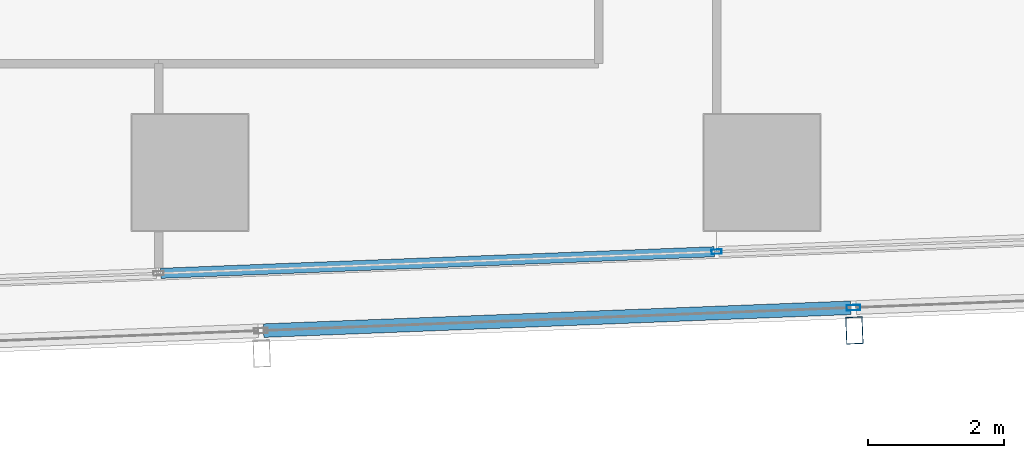
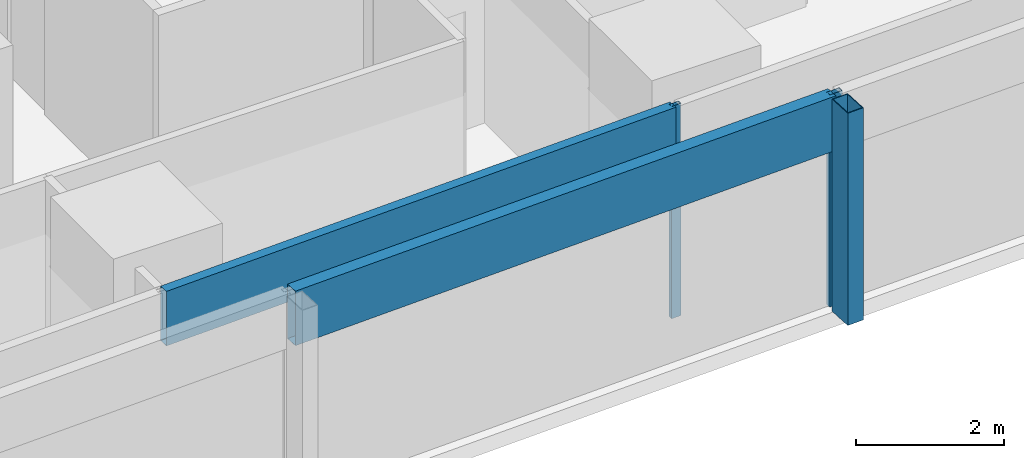
# One storey, part 11 of 40: 5 members, 2 elements without a shape of their own.
"""IFC4 building model written with IfcOpenShell, lengths in metres."""

from ifc_helpers import new_model, si_unit, direction, frame, origin, origin_2d, place, context, subcontext, project, spatial, hollow_rectangle, extrude, material, material_profile, profile_set, type_object, element, aggregate, save


model = new_model("IFC4")

# Units and contexts
model_context = context("Model", 3, precision=1e-05, world=origin(), true_north=direction((0.0, 1.0)))
body_context = subcontext(model_context, "Body", "Model", "MODEL_VIEW")
ifc_project = project(units=[si_unit("LENGTHUNIT", "METRE"), si_unit("AREAUNIT", "SQUARE_METRE"), si_unit("VOLUMEUNIT", "CUBIC_METRE"), si_unit("PLANEANGLEUNIT", "RADIAN"), si_unit("MASSUNIT", "GRAM", prefix="KILO")], contexts=[model_context])

# Site, building, storey
site_placement = place(None, origin())
site = spatial("IfcSite", under=ifc_project, at=site_placement, CompositionType="ELEMENT")
building_placement = place(site_placement, origin())
building = spatial("IfcBuilding", under=site, at=building_placement, Name="Rekha Terrace Tower", CompositionType="ELEMENT")
storey_placement = place(building_placement, frame((0.0, 0.0, 136.550048828125)))
storey = spatial("IfcBuildingStorey", under=building, at=storey_placement, Name="L34", CompositionType="ELEMENT", Elevation=136.550048828125)

# Curtain wall, member
ifc_material_1 = material(Name="Aluminium framing", Category="aluminium")
curtain_wall_type_1 = type_object("IfcCurtainWallType", Name="CW2 double skin outer glazing", PredefinedType="USERDEFINED", material=ifc_material_1)
curtain_wall_1_placement = place(storey_placement, origin())
curtain_wall_1 = element("IfcCurtainWall", 1, at=curtain_wall_1_placement, inside=storey, type_object=curtain_wall_type_1, Name="CW2 double skin outer glazing", ObjectType="DOUBLE SKIN OUTER GLAZING", PredefinedType="USERDEFINED")
ifc_material_2 = material(Name="Steel S355 with fluorocarbon finish", Category="steel")
ifc_material_profile_1 = material_profile(ifc_material_2, hollow_rectangle(XDim=0.25, YDim=0.39990234375, WallThickness=0.012451171875, at=origin_2d()), Name="RHS400x250x12.5")
ifc_profile_set_1 = profile_set([ifc_material_profile_1], Name="Steel S355 with fluorocarbon finish")
member_type_1 = type_object("IfcMemberType", Name="BL1 facade blade RHS 400 x 250", PredefinedType="USERDEFINED", material=ifc_profile_set_1)
member_1_placement = place(storey_placement, frame((60.1572265625, 14.480712890625, 0.0), z_axis=(0.0, 0.0, 1.0), x_axis=(0.999243494356, 0.038890088543, 0.0)))
member_1 = element("IfcMember", 2, at=member_1_placement, type_object=member_type_1, Name="Facade blade", ObjectType="FACADE BLADE", PredefinedType="USERDEFINED", context=body_context, shape_type="SweptSolid", body=[
    extrude(hollow_rectangle(XDim=0.25, YDim=0.39990234375, WallThickness=0.012451171875, at=origin_2d()), origin(), (0.0, 0.0, 1.0), 3.5),
])

# Curtain wall, members
curtain_wall_type_2 = type_object("IfcCurtainWallType", Name="CW1 double skin inner glazing", PredefinedType="USERDEFINED", material=ifc_material_1)
curtain_wall_2_placement = place(storey_placement, origin())
curtain_wall_2 = element("IfcCurtainWall", 3, at=curtain_wall_2_placement, inside=storey, type_object=curtain_wall_type_2, Name="CW1 double skin inner glazing", ObjectType="DOUBLE SKIN INNER GLAZING", PredefinedType="USERDEFINED")
ifc_material_3 = material(Name="Aluminium mullion section", Category="aluminium")
ifc_material_profile_2 = material_profile(ifc_material_3, hollow_rectangle(XDim=0.06494140625, YDim=0.14990234375, WallThickness=0.00390625, at=origin_2d()), Name="AL RHS 65x150")
ifc_profile_set_2 = profile_set([ifc_material_profile_2], Name="Aluminium mullion section")
member_type_2 = type_object("IfcMemberType", Name="CW1 mullion RHS 65 x 150", PredefinedType="MULLION", material=ifc_profile_set_2)
member_2_placement = place(storey_placement, frame((58.13330078125, 15.637939453125, 0.0), z_axis=(0.0, 0.0, 1.0), x_axis=(-0.038889971345, 0.999243498917, 0.0)))
member_2 = element("IfcMember", 4, at=member_2_placement, type_object=member_type_2, Name="CW1 mullion 5", PredefinedType="MULLION", context=body_context, shape_type="SweptSolid", body=[
    extrude(hollow_rectangle(XDim=0.06494140625, YDim=0.14990234375, WallThickness=0.00390625, at=origin_2d()), origin(), (0.0, 0.0, 1.0), 3.5),
])
ifc_material_4 = material(Name="Insulated aluminium spandrel box", Category="aluminium")
ifc_material_profile_3 = material_profile(ifc_material_4, hollow_rectangle(XDim=0.14990234375, YDim=0.89990234375, WallThickness=0.0029296875, at=origin_2d()), Name="AL SPANDREL BOX 150x900")
ifc_profile_set_3 = profile_set([ifc_material_profile_3], Name="Insulated aluminium spandrel box")
member_type_3 = type_object("IfcMemberType", Name="CW1 spandrel transom 150 x 900", PredefinedType="USERDEFINED", material=ifc_profile_set_3)
member_3_placement = place(storey_placement, frame((49.96923828125, 15.320068359375, 3.050048828125), z_axis=(0.999242669674, 0.038911272182, 0.0), x_axis=(-0.038911272182, 0.999242669674, 0.0)))
member_3 = element("IfcMember", 5, at=member_3_placement, type_object=member_type_3, Name="CW1 spandrel transom 4", ObjectType="TRANSOM", PredefinedType="USERDEFINED", context=body_context, shape_type="SweptSolid", body=[
    extrude(hollow_rectangle(XDim=0.14990234375, YDim=0.89990234375, WallThickness=0.0029296875, at=origin_2d()), origin(), (0.0, 0.0, 1.0), 8.1376953125),
])
aggregate(curtain_wall_2, [member_2, member_3])

# Member
ifc_material_profile_4 = material_profile(ifc_material_3, hollow_rectangle(XDim=0.080078125, YDim=0.199951171875, WallThickness=0.00390625, at=origin_2d()), Name="AL RHS 80x200")
ifc_profile_set_4 = profile_set([ifc_material_profile_4], Name="Aluminium mullion section")
member_type_4 = type_object("IfcMemberType", Name="CW2 mullion RHS 80 x 200", PredefinedType="MULLION", material=ifc_profile_set_4)
member_4_placement = place(storey_placement, frame((60.14404296875, 14.8154296875, 0.0), z_axis=(0.0, 0.0, 1.0), x_axis=(-0.038889971345, 0.999243498917, 0.0)))
member_4 = element("IfcMember", 6, at=member_4_placement, type_object=member_type_4, Name="CW2 mullion 5", PredefinedType="MULLION", context=body_context, shape_type="SweptSolid", body=[
    extrude(hollow_rectangle(XDim=0.080078125, YDim=0.199951171875, WallThickness=0.00390625, at=origin_2d()), origin(), (0.0, 0.0, 1.0), 3.5),
])

ifc_material_profile_5 = material_profile(ifc_material_4, hollow_rectangle(XDim=0.199951171875, YDim=0.89990234375, WallThickness=0.0029296875, at=origin_2d()), Name="AL SPANDREL BOX 200x900")
ifc_profile_set_5 = profile_set([ifc_material_profile_5], Name="Insulated aluminium spandrel box")
member_type_5 = type_object("IfcMemberType", Name="CW2 spandrel transom 200 x 900", PredefinedType="USERDEFINED", material=ifc_profile_set_5)
member_5_placement = place(storey_placement, frame((51.47900390625, 14.478271484375, 3.050048828125), z_axis=(0.999243481303, 0.038890423923, 0.0), x_axis=(-0.038890423923, 0.999243481303, 0.0)))
member_5 = element("IfcMember", 7, at=member_5_placement, type_object=member_type_5, Name="CW2 spandrel transom 4", ObjectType="TRANSOM", PredefinedType="USERDEFINED", context=body_context, shape_type="SweptSolid", body=[
    extrude(hollow_rectangle(XDim=0.199951171875, YDim=0.89990234375, WallThickness=0.0029296875, at=origin_2d()), origin(), (0.0, 0.0, 1.0), 8.6318359375),
])

aggregate(curtain_wall_1, [member_4, member_5, member_1])

save(model, "model.ifc")
